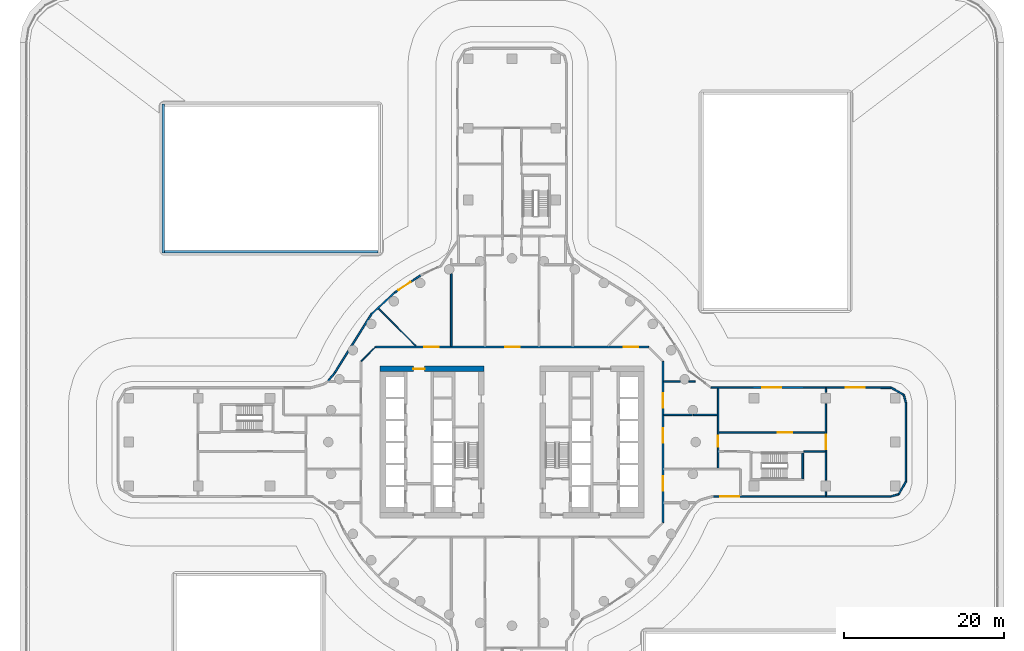
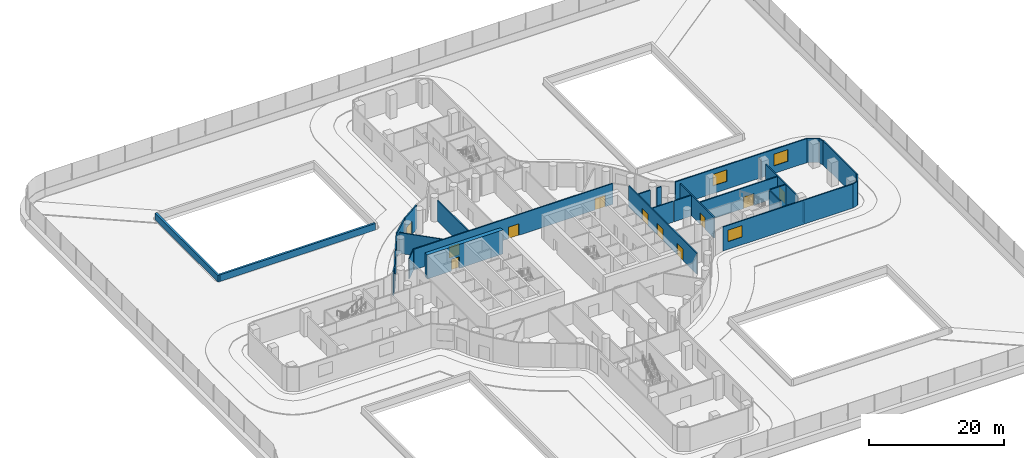
# One storey, part 26 of 37: 30 walls, 11 doors, 3 windows, 14 openings.
"""IFC4 building model written with IfcOpenShell, lengths in metres."""

from ifc_helpers import new_model, si_unit, direction, frame, frame_2d, origin, place, context, subcontext, project, spatial, polyline, rectangle, outline, extrude, material, layer, layer_set, type_object, element, fill, save


model = new_model("IFC4")

# Units and contexts
model_context = context("Model", 3, precision=1e-05, world=origin(), true_north=direction((0.0, 1.0)))
body_context = subcontext(model_context, "Body", "Model", "MODEL_VIEW")
ifc_project = project(units=[si_unit("LENGTHUNIT", "METRE"), si_unit("AREAUNIT", "SQUARE_METRE"), si_unit("VOLUMEUNIT", "CUBIC_METRE"), si_unit("PLANEANGLEUNIT", "RADIAN"), si_unit("MASSUNIT", "GRAM", prefix="KILO")], contexts=[model_context])

# Site, building, storey
site_placement = place(None, origin())
site = spatial("IfcSite", under=ifc_project, at=site_placement, CompositionType="ELEMENT")
building_placement = place(site_placement, origin())
building = spatial("IfcBuilding", under=site, at=building_placement, Name="Tamarind Cross Interchange Tower", CompositionType="ELEMENT")
storey_placement = place(building_placement, frame((0.0, 0.0, 29.5)))
storey = spatial("IfcBuildingStorey", under=building, at=storey_placement, Name="L05", CompositionType="ELEMENT", Elevation=29.5)

# Wall, opening, door
ifc_material_1 = material(Name="Concrete C80", Category="concrete")
ifc_layer_1 = layer(ifc_material_1, 0.699951171875)
ifc_layer_set_1 = layer_set([ifc_layer_1], Name="Concrete C80")
wall_type_1 = type_object("IfcWallType", Name="Core wall 700 mm Concrete C80", PredefinedType="SHEAR", material=ifc_layer_set_1)
wall_1_placement = place(storey_placement, frame((-16.5, 9.14990234375, 0.0), z_axis=(0.0, 0.0, 1.0), x_axis=(1.0, 0.0, 0.0)))
wall_1 = element("IfcWall", 1, at=wall_1_placement, inside=storey, type_object=wall_type_1, Name="Core wall CWL-L05-W-NE", PredefinedType="SHEAR", context=body_context, shape_type="SweptSolid", body=[
    extrude(rectangle(XDim=13.0, YDim=0.699951171875, at=frame_2d((6.5, 0.0))), origin(), (0.0, 0.0, 1.0), 4.360107421875),
])
opening_1_placement = place(wall_1_placement, frame((4.14990234375, 0.0, 0.0)))
opening_1 = element("IfcOpeningElement", 2, at=opening_1_placement, cuts=wall_1, Name="Opening DCW31", PredefinedType="OPENING", context=body_context, shape_type="SweptSolid", body=[
    extrude(rectangle(XDim=1.39990234375, YDim=2.10009765625, at=frame_2d((0.699951171875, 1.050048828125))), frame((0.0, 0.35986328125, 0.0), z_axis=(0.0, -1.0, 0.0), x_axis=(1.0, 0.0, 0.0)), (0.0, 0.0, 1.0), 0.719970703125),
])
ifc_material_2 = material(Name="Steel, fire-resisting", Category="steel")
door_type_1 = type_object("IfcDoorType", Name="Core fire door 1400 x 2100 FD90", OperationType="SINGLE_SWING_LEFT", PredefinedType="DOOR", material=ifc_material_2)
door_1_placement = place(opening_1_placement, origin())
door_1 = element("IfcDoor", 3, at=door_1_placement, inside=storey, type_object=door_type_1, Name="L05 lift hall exit door", OperationType="SINGLE_SWING_LEFT", OverallHeight=2.10009765625, OverallWidth=1.39990234375, PredefinedType="DOOR", context=body_context, shape_type="SweptSolid", body=[
    extrude(rectangle(XDim=1.39990234375, YDim=2.10009765625, at=frame_2d((0.699951171875, 1.050048828125))), frame((0.0, 0.02490234375, 0.0), z_axis=(0.0, -1.0, 0.0), x_axis=(1.0, 0.0, 0.0)), (0.0, 0.0, 1.0), 0.050048828125),
])
fill(opening_1, door_1)

# Walls
ifc_material_3 = material(Name="Gypsum board partition on steel studs", Category="steel")
ifc_layer_2 = layer(ifc_material_3, 0.14990234375)
ifc_layer_set_2 = layer_set([ifc_layer_2], Name="Gypsum board partition on steel studs")
wall_type_2 = type_object("IfcWallType", Name="Partition 150 mm EI 120", PredefinedType="PARTITIONING", material=ifc_layer_set_2)
wall_2_placement = place(storey_placement, frame((-16.740478515625, 16.740478515625, 0.0), z_axis=(0.0, 0.0, 1.0), x_axis=(0.707106781187, -0.707106781187, 0.0)))
element("IfcWall", 4, at=wall_2_placement, inside=storey, type_object=wall_type_2, Name="Partition L05-002", PredefinedType="PARTITIONING", context=body_context, shape_type="SweptSolid", body=[
    extrude(rectangle(XDim=6.6552734375, YDim=0.14990234375, at=frame_2d((3.32763671875, 0.0))), origin(), (0.0, 0.0, 1.0), 3.760009765625),
])
wall_3_placement = place(storey_placement, frame((-18.864501953125, 10.135498046875, 0.0), z_axis=(0.0, 0.0, 1.0), x_axis=(0.707106781187, 0.707106781187, 0.0)))
element("IfcWall", 5, at=wall_3_placement, inside=storey, type_object=wall_type_2, Name="Partition L05-044", PredefinedType="PARTITIONING", context=body_context, shape_type="SweptSolid", body=[
    extrude(rectangle(XDim=2.495361328125, YDim=0.14990234375, at=frame_2d((1.24755859375, 0.0))), origin(), (0.0, 0.0, 1.0), 3.760009765625),
])
ifc_layer_3 = layer(ifc_material_3, 0.199951171875)
ifc_layer_set_3 = layer_set([ifc_layer_3], Name="Gypsum board partition on steel studs")
wall_type_3 = type_object("IfcWallType", Name="Partition 200 mm EI 180", PredefinedType="PARTITIONING", material=ifc_layer_set_3)
wall_4_placement = place(storey_placement, frame((36.5400390625, -1.199951171875, 0.0), z_axis=(0.0, 0.0, 1.0), x_axis=(1.0, 0.0, 0.0)))
element("IfcWall", 6, at=wall_4_placement, inside=storey, type_object=wall_type_3, Name="Partition L05-007", PredefinedType="PARTITIONING", context=body_context, shape_type="SweptSolid", body=[
    extrude(rectangle(XDim=2.679931640625, YDim=0.199951171875, at=frame_2d((1.33984375, 0.0))), origin(), (0.0, 0.0, 1.0), 3.760009765625),
])

# Wall, opening, door
wall_5_placement = place(storey_placement, frame((25.885009765625, 1.199951171875, 0.0), z_axis=(0.0, 0.0, 1.0), x_axis=(1.0, 0.0, 0.0)))
wall_5 = element("IfcWall", 7, at=wall_5_placement, inside=storey, type_object=wall_type_3, Name="Partition L05-010", PredefinedType="PARTITIONING", context=body_context, shape_type="SweptSolid", body=[
    extrude(rectangle(XDim=13.3349609375, YDim=0.199951171875, at=frame_2d((6.66748046875, 0.0))), origin(), (0.0, 0.0, 1.0), 3.760009765625),
])
opening_2_placement = place(wall_5_placement, frame((7.4150390625, 0.0, 0.0)))
opening_2 = element("IfcOpeningElement", 8, at=opening_2_placement, cuts=wall_5, Name="Opening D04", PredefinedType="OPENING", context=body_context, shape_type="SweptSolid", body=[
    extrude(rectangle(XDim=1.800048828125, YDim=2.10009765625, at=frame_2d((0.89990234375, 1.050048828125))), frame((0.0, 0.10986328125, 0.0), z_axis=(0.0, -1.0, 0.0), x_axis=(1.0, 0.0, 0.0)), (0.0, 0.0, 1.0), 0.219970703125),
])
ifc_material_4 = material(Name="Fire-resisting door set")
door_type_2 = type_object("IfcDoorType", Name="Interior door 1800 x 2100 FD120S", OperationType="DOUBLE_DOOR_SINGLE_SWING", PredefinedType="DOOR", material=ifc_material_4)
door_2_placement = place(opening_2_placement, origin())
door_2 = element("IfcDoor", 9, at=door_2_placement, inside=storey, type_object=door_type_2, Name="Door D04", OperationType="DOUBLE_DOOR_SINGLE_SWING", OverallHeight=2.10009765625, OverallWidth=1.800048828125, PredefinedType="DOOR", context=body_context, shape_type="SweptSolid", body=[
    extrude(rectangle(XDim=1.800048828125, YDim=2.10009765625, at=frame_2d((0.89990234375, 1.050048828125))), frame((0.0, 0.02490234375, 0.0), z_axis=(0.0, -1.0, 0.0), x_axis=(1.0, 0.0, 0.0)), (0.0, 0.0, 1.0), 0.050048828125),
])
fill(opening_2, door_2)

# Walls
wall_6_placement = place(storey_placement, frame((18.985107421875, 3.39990234375, 0.0), z_axis=(0.0, 0.0, 1.0), x_axis=(1.0, 0.0, 0.0)))
element("IfcWall", 10, at=wall_6_placement, inside=storey, type_object=wall_type_3, Name="Partition L05-013", PredefinedType="PARTITIONING", context=body_context, shape_type="SweptSolid", body=[
    extrude(rectangle(XDim=3.60546875, YDim=0.199951171875, at=frame_2d((1.802734375, 0.0))), origin(), (0.0, 0.0, 1.0), 3.760009765625),
])
wall_7_placement = place(storey_placement, frame((22.710693359375, 3.39990234375, 0.0), z_axis=(0.0, 0.0, 1.0), x_axis=(1.0, 0.0, 0.0)))
element("IfcWall", 11, at=wall_7_placement, inside=storey, type_object=wall_type_3, Name="Partition L05-014", PredefinedType="PARTITIONING", context=body_context, shape_type="SweptSolid", body=[
    extrude(rectangle(XDim=3.00439453125, YDim=0.199951171875, at=frame_2d((1.502197265625, 0.0))), origin(), (0.0, 0.0, 1.0), 3.760009765625),
])
wall_8_placement = place(storey_placement, frame((18.985107421875, 7.60009765625, 0.0), z_axis=(0.0, 0.0, 1.0), x_axis=(1.0, 0.0, 0.0)))
element("IfcWall", 12, at=wall_8_placement, inside=storey, type_object=wall_type_3, Name="Partition L05-025", PredefinedType="PARTITIONING", context=body_context, shape_type="SweptSolid", body=[
    extrude(rectangle(XDim=2.089111328125, YDim=0.199951171875, at=frame_2d((1.04443359375, 0.0))), origin(), (0.0, 0.0, 1.0), 3.760009765625),
])
wall_9_placement = place(storey_placement, frame((22.151611328125, 7.60009765625, 0.0), z_axis=(0.0, 0.0, 1.0), x_axis=(1.0, 0.0, 0.0)))
element("IfcWall", 13, at=wall_9_placement, inside=storey, type_object=wall_type_3, Name="Partition L05-026", PredefinedType="PARTITIONING", context=body_context, shape_type="SweptSolid", body=[
    extrude(rectangle(XDim=0.770263671875, YDim=0.199951171875, at=frame_2d((0.38525390625, 0.0))), origin(), (0.0, 0.0, 1.0), 3.760009765625),
])

# Wall, openings, doors
wall_10_placement = place(storey_placement, frame((-17.06494140625, 11.89990234375, 0.0), z_axis=(0.0, 0.0, 1.0), x_axis=(1.0, 0.0, 0.0)))
wall_10 = element("IfcWall", 14, at=wall_10_placement, inside=storey, type_object=wall_type_3, Name="Partition L05-028", PredefinedType="PARTITIONING", context=body_context, shape_type="SweptSolid", body=[
    extrude(rectangle(XDim=34.1650390625, YDim=0.199951171875, at=frame_2d((17.08251953125, 0.0))), origin(), (0.0, 0.0, 1.0), 3.760009765625),
])
opening_3_placement = place(wall_10_placement, frame((16.215087890625, 0.0, 0.0)))
opening_3 = element("IfcOpeningElement", 15, at=opening_3_placement, cuts=wall_10, Name="Opening D08", PredefinedType="OPENING", context=body_context, shape_type="SweptSolid", body=[
    extrude(rectangle(XDim=1.800048828125, YDim=2.10009765625, at=frame_2d((0.89990234375, 1.050048828125))), frame((0.0, 0.10986328125, 0.0), z_axis=(0.0, -1.0, 0.0), x_axis=(1.0, 0.0, 0.0)), (0.0, 0.0, 1.0), 0.219970703125),
])
opening_4_placement = place(wall_10_placement, frame((6.06494140625, 0.0, 0.0)))
opening_4 = element("IfcOpeningElement", 16, at=opening_4_placement, cuts=wall_10, Name="Opening D09", PredefinedType="OPENING", context=body_context, shape_type="SweptSolid", body=[
    extrude(rectangle(XDim=1.800048828125, YDim=2.10009765625, at=frame_2d((0.89990234375, 1.050048828125))), frame((0.0, 0.10986328125, 0.0), z_axis=(0.0, -1.0, 0.0), x_axis=(1.0, 0.0, 0.0)), (0.0, 0.0, 1.0), 0.219970703125),
])
opening_5_placement = place(wall_10_placement, frame((31.06494140625, 0.0, 0.0)))
opening_5 = element("IfcOpeningElement", 17, at=opening_5_placement, cuts=wall_10, Name="Opening D10", PredefinedType="OPENING", context=body_context, shape_type="SweptSolid", body=[
    extrude(rectangle(XDim=1.800048828125, YDim=2.10009765625, at=frame_2d((0.89990234375, 1.050048828125))), frame((0.0, 0.10986328125, 0.0), z_axis=(0.0, -1.0, 0.0), x_axis=(1.0, 0.0, 0.0)), (0.0, 0.0, 1.0), 0.219970703125),
])
door_3_placement = place(opening_3_placement, frame((1.800048828125, 0.0, 0.0), z_axis=(0.0, 0.0, 1.0), x_axis=(-1.0, 0.0, 0.0)))
door_3 = element("IfcDoor", 18, at=door_3_placement, inside=storey, type_object=door_type_2, Name="Door D08", OperationType="DOUBLE_DOOR_SINGLE_SWING", OverallHeight=2.10009765625, OverallWidth=1.800048828125, PredefinedType="DOOR", context=body_context, shape_type="SweptSolid", body=[
    extrude(rectangle(XDim=1.800048828125, YDim=2.10009765625, at=frame_2d((0.89990234375, 1.050048828125))), frame((0.0, 0.02490234375, 0.0), z_axis=(0.0, -1.0, 0.0), x_axis=(1.0, 0.0, 0.0)), (0.0, 0.0, 1.0), 0.050048828125),
])
fill(opening_3, door_3)
door_4_placement = place(opening_4_placement, frame((1.800048828125, 0.0, 0.0), z_axis=(0.0, 0.0, 1.0), x_axis=(-1.0, 0.0, 0.0)))
door_4 = element("IfcDoor", 19, at=door_4_placement, inside=storey, type_object=door_type_2, Name="Door D09", OperationType="DOUBLE_DOOR_SINGLE_SWING", OverallHeight=2.10009765625, OverallWidth=1.800048828125, PredefinedType="DOOR", context=body_context, shape_type="SweptSolid", body=[
    extrude(rectangle(XDim=1.800048828125, YDim=2.10009765625, at=frame_2d((0.89990234375, 1.050048828125))), frame((0.0, 0.02490234375, 0.0), z_axis=(0.0, -1.0, 0.0), x_axis=(1.0, 0.0, 0.0)), (0.0, 0.0, 1.0), 0.050048828125),
])
fill(opening_4, door_4)
door_5_placement = place(opening_5_placement, origin())
door_5 = element("IfcDoor", 20, at=door_5_placement, inside=storey, type_object=door_type_2, Name="Door D10", OperationType="DOUBLE_DOOR_SINGLE_SWING", OverallHeight=2.10009765625, OverallWidth=1.800048828125, PredefinedType="DOOR", context=body_context, shape_type="SweptSolid", body=[
    extrude(rectangle(XDim=1.800048828125, YDim=2.10009765625, at=frame_2d((0.89990234375, 1.050048828125))), frame((0.0, 0.02490234375, 0.0), z_axis=(0.0, -1.0, 0.0), x_axis=(1.0, 0.0, 0.0)), (0.0, 0.0, 1.0), 0.050048828125),
])
fill(opening_5, door_5)

# Wall
wall_11_placement = place(storey_placement, frame((-7.60009765625, 11.97998046875, 0.0), z_axis=(0.0, 0.0, 1.0), x_axis=(0.0, 1.0, 0.0)))
element("IfcWall", 21, at=wall_11_placement, inside=storey, type_object=wall_type_3, Name="Partition L05-056", PredefinedType="PARTITIONING", context=body_context, shape_type="SweptSolid", body=[
    extrude(rectangle(XDim=9.09423828125, YDim=0.199951171875, at=frame_2d((4.547119140625, 0.0))), origin(), (0.0, 0.0, 1.0), 3.760009765625),
])

# Wall, openings, doors
wall_12_placement = place(storey_placement, frame((18.89990234375, -10.10009765625, 0.0), z_axis=(0.0, 0.0, 1.0), x_axis=(0.0, 1.0, 0.0)))
wall_12 = element("IfcWall", 22, at=wall_12_placement, inside=storey, type_object=wall_type_3, Name="Partition L05-076", PredefinedType="PARTITIONING", context=body_context, shape_type="SweptSolid", body=[
    extrude(rectangle(XDim=20.2001953125, YDim=0.199951171875, at=frame_2d((10.10009765625, 0.0))), origin(), (0.0, 0.0, 1.0), 3.760009765625),
])
opening_6_placement = place(wall_12_placement, frame((10.0, 0.0, 0.0)))
opening_6 = element("IfcOpeningElement", 23, at=opening_6_placement, cuts=wall_12, Name="Opening D34", PredefinedType="OPENING", context=body_context, shape_type="SweptSolid", body=[
    extrude(rectangle(XDim=1.800048828125, YDim=2.10009765625, at=frame_2d((0.89990234375, 1.050048828125))), frame((0.0, 0.10986328125, 0.0), z_axis=(0.0, -1.0, 0.0), x_axis=(1.0, 0.0, 0.0)), (0.0, 0.0, 1.0), 0.219970703125),
])
opening_7_placement = place(wall_12_placement, frame((14.39990234375, 0.0, 0.0)))
opening_7 = element("IfcOpeningElement", 24, at=opening_7_placement, cuts=wall_12, Name="Opening D35", PredefinedType="OPENING", context=body_context, shape_type="SweptSolid", body=[
    extrude(rectangle(XDim=1.800048828125, YDim=2.10009765625, at=frame_2d((0.89990234375, 1.050048828125))), frame((0.0, 0.10986328125, 0.0), z_axis=(0.0, -1.0, 0.0), x_axis=(1.0, 0.0, 0.0)), (0.0, 0.0, 1.0), 0.219970703125),
])
opening_8_placement = place(wall_12_placement, frame((4.0, 0.0, 0.0)))
opening_8 = element("IfcOpeningElement", 25, at=opening_8_placement, cuts=wall_12, Name="Opening D36", PredefinedType="OPENING", context=body_context, shape_type="SweptSolid", body=[
    extrude(rectangle(XDim=1.800048828125, YDim=2.10009765625, at=frame_2d((0.89990234375, 1.050048828125))), frame((0.0, 0.10986328125, 0.0), z_axis=(0.0, -1.0, 0.0), x_axis=(1.0, 0.0, 0.0)), (0.0, 0.0, 1.0), 0.219970703125),
])
door_6_placement = place(opening_6_placement, origin())
door_6 = element("IfcDoor", 26, at=door_6_placement, inside=storey, type_object=door_type_2, Name="Door D34", OperationType="DOUBLE_DOOR_SINGLE_SWING", OverallHeight=2.10009765625, OverallWidth=1.800048828125, PredefinedType="DOOR", context=body_context, shape_type="SweptSolid", body=[
    extrude(rectangle(XDim=1.800048828125, YDim=2.10009765625, at=frame_2d((0.89990234375, 1.050048828125))), frame((0.0, 0.02490234375, 0.0), z_axis=(0.0, -1.0, 0.0), x_axis=(1.0, 0.0, 0.0)), (0.0, 0.0, 1.0), 0.050048828125),
])
fill(opening_6, door_6)
door_7_placement = place(opening_7_placement, frame((1.800048828125, 0.0, 0.0), z_axis=(0.0, 0.0, 1.0), x_axis=(-1.0, 0.0, 0.0)))
door_7 = element("IfcDoor", 27, at=door_7_placement, inside=storey, type_object=door_type_2, Name="Door D35", OperationType="DOUBLE_DOOR_SINGLE_SWING", OverallHeight=2.10009765625, OverallWidth=1.800048828125, PredefinedType="DOOR", context=body_context, shape_type="SweptSolid", body=[
    extrude(rectangle(XDim=1.800048828125, YDim=2.10009765625, at=frame_2d((0.89990234375, 1.050048828125))), frame((0.0, 0.02490234375, 0.0), z_axis=(0.0, -1.0, 0.0), x_axis=(1.0, 0.0, 0.0)), (0.0, 0.0, 1.0), 0.050048828125),
])
fill(opening_7, door_7)
door_8_placement = place(opening_8_placement, frame((1.800048828125, 0.0, 0.0), z_axis=(0.0, 0.0, 1.0), x_axis=(-1.0, 0.0, 0.0)))
door_8 = element("IfcDoor", 28, at=door_8_placement, inside=storey, type_object=door_type_2, Name="Door D36", OperationType="DOUBLE_DOOR_SINGLE_SWING", OverallHeight=2.10009765625, OverallWidth=1.800048828125, PredefinedType="DOOR", context=body_context, shape_type="SweptSolid", body=[
    extrude(rectangle(XDim=1.800048828125, YDim=2.10009765625, at=frame_2d((0.89990234375, 1.050048828125))), frame((0.0, 0.02490234375, 0.0), z_axis=(0.0, -1.0, 0.0), x_axis=(1.0, 0.0, 0.0)), (0.0, 0.0, 1.0), 0.050048828125),
])
fill(opening_8, door_8)

# Wall, opening, door
wall_13_placement = place(storey_placement, frame((25.800048828125, -3.31494140625, 0.0), z_axis=(0.0, 0.0, 1.0), x_axis=(0.0, 1.0, 0.0)))
wall_13 = element("IfcWall", 29, at=wall_13_placement, inside=storey, type_object=wall_type_3, Name="Partition L05-077", PredefinedType="PARTITIONING", context=body_context, shape_type="SweptSolid", body=[
    extrude(rectangle(XDim=10.056640625, YDim=0.199951171875, at=frame_2d((5.0283203125, 0.0))), origin(), (0.0, 0.0, 1.0), 3.760009765625),
])
opening_9_placement = place(wall_13_placement, frame((2.715087890625, 0.0, 0.0)))
opening_9 = element("IfcOpeningElement", 30, at=opening_9_placement, cuts=wall_13, Name="Opening D37", PredefinedType="OPENING", context=body_context, shape_type="SweptSolid", body=[
    extrude(rectangle(XDim=1.39990234375, YDim=2.10009765625, at=frame_2d((0.699951171875, 1.050048828125))), frame((0.0, 0.10986328125, 0.0), z_axis=(0.0, -1.0, 0.0), x_axis=(1.0, 0.0, 0.0)), (0.0, 0.0, 1.0), 0.219970703125),
])
door_type_3 = type_object("IfcDoorType", Name="Interior door 1400 x 2100 FD120S", OperationType="DOUBLE_DOOR_SINGLE_SWING", PredefinedType="DOOR", material=ifc_material_4)
door_9_placement = place(opening_9_placement, origin())
door_9 = element("IfcDoor", 31, at=door_9_placement, inside=storey, type_object=door_type_3, Name="Door D37", OperationType="DOUBLE_DOOR_SINGLE_SWING", OverallHeight=2.10009765625, OverallWidth=1.39990234375, PredefinedType="DOOR", context=body_context, shape_type="SweptSolid", body=[
    extrude(rectangle(XDim=1.39990234375, YDim=2.10009765625, at=frame_2d((0.699951171875, 1.050048828125))), frame((0.0, 0.02490234375, 0.0), z_axis=(0.0, -1.0, 0.0), x_axis=(1.0, 0.0, 0.0)), (0.0, 0.0, 1.0), 0.050048828125),
])
fill(opening_9, door_9)

# Wall
wall_14_placement = place(storey_placement, frame((39.300048828125, -6.698974609375, 0.0), z_axis=(0.0, 0.0, 1.0), x_axis=(0.0, 1.0, 0.0)))
element("IfcWall", 32, at=wall_14_placement, inside=storey, type_object=wall_type_3, Name="Partition L05-079", PredefinedType="PARTITIONING", context=body_context, shape_type="SweptSolid", body=[
    extrude(rectangle(XDim=0.468994140625, YDim=0.199951171875, at=frame_2d((0.234375, 0.0))), origin(), (0.0, 0.0, 1.0), 3.760009765625),
])

# Wall, opening, door
wall_15_placement = place(storey_placement, frame((39.300048828125, -4.77001953125, 0.0), z_axis=(0.0, 0.0, 1.0), x_axis=(0.0, 1.0, 0.0)))
wall_15 = element("IfcWall", 33, at=wall_15_placement, inside=storey, type_object=wall_type_3, Name="Partition L05-080", PredefinedType="PARTITIONING", context=body_context, shape_type="SweptSolid", body=[
    extrude(rectangle(XDim=9.5400390625, YDim=0.199951171875, at=frame_2d((4.77001953125, 0.0))), origin(), (0.0, 0.0, 1.0), 3.760009765625),
])
opening_10_placement = place(wall_15_placement, frame((3.8701171875, 0.0, 0.0)))
opening_10 = element("IfcOpeningElement", 34, at=opening_10_placement, cuts=wall_15, Name="Opening D38", PredefinedType="OPENING", context=body_context, shape_type="SweptSolid", body=[
    extrude(rectangle(XDim=1.800048828125, YDim=2.10009765625, at=frame_2d((0.89990234375, 1.050048828125))), frame((0.0, 0.10986328125, 0.0), z_axis=(0.0, -1.0, 0.0), x_axis=(1.0, 0.0, 0.0)), (0.0, 0.0, 1.0), 0.219970703125),
])
door_10_placement = place(opening_10_placement, frame((1.800048828125, 0.0, 0.0), z_axis=(0.0, 0.0, 1.0), x_axis=(-1.0, 0.0, 0.0)))
door_10 = element("IfcDoor", 35, at=door_10_placement, inside=storey, type_object=door_type_2, Name="Door D38", OperationType="DOUBLE_DOOR_SINGLE_SWING", OverallHeight=2.10009765625, OverallWidth=1.800048828125, PredefinedType="DOOR", context=body_context, shape_type="SweptSolid", body=[
    extrude(rectangle(XDim=1.800048828125, YDim=2.10009765625, at=frame_2d((0.89990234375, 1.050048828125))), frame((0.0, 0.02490234375, 0.0), z_axis=(0.0, -1.0, 0.0), x_axis=(1.0, 0.0, 0.0)), (0.0, 0.0, 1.0), 0.050048828125),
])
fill(opening_10, door_10)

# Walls
wall_16_placement = place(storey_placement, frame((39.300048828125, 6.22998046875, 0.0), z_axis=(0.0, 0.0, 1.0), x_axis=(0.0, 1.0, 0.0)))
element("IfcWall", 36, at=wall_16_placement, inside=storey, type_object=wall_type_3, Name="Partition L05-081", PredefinedType="PARTITIONING", context=body_context, shape_type="SweptSolid", body=[
    extrude(rectangle(XDim=0.485107421875, YDim=0.199951171875, at=frame_2d((0.24267578125, 0.0))), origin(), (0.0, 0.0, 1.0), 3.760009765625),
])
ifc_material_5 = material(Name="Precast concrete C40", Category="concrete")
ifc_layer_4 = layer(ifc_material_5, 0.35009765625)
ifc_layer_set_4 = layer_set([ifc_layer_4], Name="Precast concrete C40")
wall_type_4 = type_object("IfcWallType", Name="Podium facade wall", PredefinedType="SOLIDWALL", material=ifc_layer_set_4)
wall_17_placement = place(storey_placement, frame((-43.5, 23.824951171875, 0.0), z_axis=(0.0, 0.0, 1.0), x_axis=(1.0, 0.0, 0.0)))
element("IfcWall", 37, at=wall_17_placement, inside=storey, type_object=wall_type_4, Name="CTW-L05-NWS00", PredefinedType="SOLIDWALL", context=body_context, shape_type="SweptSolid", body=[
    extrude(rectangle(XDim=26.699951171875, YDim=0.35009765625, at=frame_2d((13.35009765625, 0.0))), origin(), (0.0, 0.0, 1.0), 1.199951171875),
])
wall_18_placement = place(storey_placement, frame((-43.675048828125, 23.64990234375, 0.0), z_axis=(0.0, 0.0, 1.0), x_axis=(0.0, 1.0, 0.0)))
element("IfcWall", 38, at=wall_18_placement, inside=storey, type_object=wall_type_4, Name="CTW-L05-NWW00", PredefinedType="SOLIDWALL", context=body_context, shape_type="SweptSolid", body=[
    extrude(rectangle(XDim=18.7001953125, YDim=0.35009765625, at=frame_2d((9.35009765625, 0.0))), origin(), (0.0, 0.0, 1.0), 1.199951171875),
])

# Wall, opening, window
ifc_layer_5 = layer(ifc_material_5, 0.199951171875)
ifc_layer_set_5 = layer_set([ifc_layer_5], Name="Precast concrete C40")
wall_type_5 = type_object("IfcWallType", Name="Refuge level external wall", PredefinedType="SOLIDWALL", material=ifc_layer_set_5)
wall_19_placement = place(storey_placement, frame((25.181396484375, -6.800048828125, 0.0), z_axis=(0.0, 0.0, 1.0), x_axis=(1.0, 0.0, 0.0)))
wall_19 = element("IfcWall", 39, at=wall_19_placement, inside=storey, type_object=wall_type_5, Name="RFW-L05-08-0", PredefinedType="SOLIDWALL", context=body_context, shape_type="SweptSolid", body=[
    extrude(rectangle(XDim=22.2998046875, YDim=0.199951171875, at=frame_2d((11.14990234375, 0.0))), origin(), (0.0, 0.0, 1.0), 4.360107421875),
])
opening_11_placement = place(wall_19_placement, frame((0.89990234375, 0.0, 1.39990234375)))
opening_11 = element("IfcOpeningElement", 40, at=opening_11_placement, cuts=wall_19, Name="Opening W3", PredefinedType="OPENING", context=body_context, shape_type="SweptSolid", body=[
    extrude(rectangle(XDim=2.39990234375, YDim=2.10009765625, at=frame_2d((1.199951171875, 1.050048828125))), frame((0.0, 0.10986328125, 0.0), z_axis=(0.0, -1.0, 0.0), x_axis=(1.0, 0.0, 0.0)), (0.0, 0.0, 1.0), 0.219970703125),
])
ifc_material_6 = material(Name="Aluminium and fire-resisting glass", Category="aluminium")
window_type = type_object("IfcWindowType", Name="Refuge rescue window", PartitioningType="DOUBLE_PANEL_VERTICAL", PredefinedType="WINDOW", material=ifc_material_6)
window_1_placement = place(opening_11_placement, origin())
window_1 = element("IfcWindow", 41, at=window_1_placement, inside=storey, type_object=window_type, Name="RSW-L05-08-01", OverallHeight=2.10009765625, OverallWidth=2.39990234375, PartitioningType="SINGLE_PANEL", PredefinedType="WINDOW", context=body_context, shape_type="SweptSolid", body=[
    extrude(rectangle(XDim=2.39990234375, YDim=2.10009765625, at=frame_2d((1.199951171875, 1.050048828125))), frame((0.0, 0.030029296875, 0.0), z_axis=(0.0, -1.0, 0.0), x_axis=(1.0, 0.0, 0.0)), (0.0, 0.0, 1.0), 0.06005859375),
])
fill(opening_11, window_1)

# Walls
wall_20_placement = place(storey_placement, frame((47.481201171875, -6.800048828125, 0.0), z_axis=(0.0, 0.0, 1.0), x_axis=(0.96591611198, 0.258855296676, 0.0)))
element("IfcWall", 42, at=wall_20_placement, inside=storey, type_object=wall_type_5, Name="RFW-L05-08-1", PredefinedType="SOLIDWALL", context=body_context, shape_type="SweptSolid", body=[
    extrude(rectangle(XDim=0.955322265625, YDim=0.199951171875, at=frame_2d((0.4775390625, 0.0))), origin(), (0.0, 0.0, 1.0), 4.360107421875),
])
wall_21_placement = place(storey_placement, frame((48.404052734375, -6.552734375, 0.0), z_axis=(0.0, 0.0, 1.0), x_axis=(0.496644654848, 0.867953965836, 0.0)))
element("IfcWall", 43, at=wall_21_placement, inside=storey, type_object=wall_type_5, Name="RFW-L05-08-2", PredefinedType="SOLIDWALL", context=body_context, shape_type="SweptSolid", body=[
    extrude(rectangle(XDim=1.8193359375, YDim=0.199951171875, at=frame_2d((0.90966796875, 0.0))), origin(), (0.0, 0.0, 1.0), 4.360107421875),
])
wall_22_placement = place(storey_placement, frame((49.3076171875, -4.9736328125, 0.0), z_axis=(0.0, 0.0, 1.0), x_axis=(0.0, 1.0, 0.0)))
element("IfcWall", 44, at=wall_22_placement, inside=storey, type_object=wall_type_5, Name="RFW-L05-09-0", PredefinedType="SOLIDWALL", context=body_context, shape_type="SweptSolid", body=[
    extrude(rectangle(XDim=9.947265625, YDim=0.199951171875, at=frame_2d((4.9736328125, 0.0))), origin(), (0.0, 0.0, 1.0), 4.360107421875),
])
wall_23_placement = place(storey_placement, frame((49.3076171875, 4.9736328125, 0.0), z_axis=(0.0, 0.0, 1.0), x_axis=(-0.258855296676, 0.96591611198, 0.0)))
element("IfcWall", 45, at=wall_23_placement, inside=storey, type_object=wall_type_5, Name="RFW-L05-09-1", PredefinedType="SOLIDWALL", context=body_context, shape_type="SweptSolid", body=[
    extrude(rectangle(XDim=0.955322265625, YDim=0.199951171875, at=frame_2d((0.4775390625, 0.0))), origin(), (0.0, 0.0, 1.0), 4.360107421875),
])
wall_24_placement = place(storey_placement, frame((49.060302734375, 5.896484375, 0.0), z_axis=(0.0, 0.0, 1.0), x_axis=(-0.867987059309, 0.496586815041, 0.0)))
element("IfcWall", 46, at=wall_24_placement, inside=storey, type_object=wall_type_5, Name="RFW-L05-09-2", PredefinedType="SOLIDWALL", context=body_context, shape_type="SweptSolid", body=[
    extrude(rectangle(XDim=1.819580078125, YDim=0.199951171875, at=frame_2d((0.90966796875, 0.0))), origin(), (0.0, 0.0, 1.0), 4.360107421875),
])

# Wall, openings, windows
wall_25_placement = place(storey_placement, frame((47.48095703125, 6.800048828125, 0.0), z_axis=(0.0, 0.0, 1.0), x_axis=(-0.999998066603, 0.001966415802, 0.0)))
wall_25 = element("IfcWall", 47, at=wall_25_placement, inside=storey, type_object=wall_type_5, Name="RFW-L05-10-0", PredefinedType="SOLIDWALL", context=body_context, shape_type="SweptSolid", body=[
    extrude(rectangle(XDim=22.59619140625, YDim=0.199951171875, at=frame_2d((11.298095703125, 0.0))), origin(), (0.0, 0.0, 1.0), 4.360107421875),
])
opening_12_placement = place(wall_25_placement, frame((3.300048828125, 0.0, 1.39990234375)))
opening_12 = element("IfcOpeningElement", 48, at=opening_12_placement, cuts=wall_25, Name="Opening W3", PredefinedType="OPENING", context=body_context, shape_type="SweptSolid", body=[
    extrude(rectangle(XDim=2.39990234375, YDim=2.10009765625, at=frame_2d((1.199951171875, 1.050048828125))), frame((0.0, 0.10986328125, 0.0), z_axis=(0.0, -1.0, 0.0), x_axis=(1.0, 0.0, 0.0)), (0.0, 0.0, 1.0), 0.219970703125),
])
opening_13_placement = place(wall_25_placement, frame((13.75, 0.0, 1.39990234375)))
opening_13 = element("IfcOpeningElement", 49, at=opening_13_placement, cuts=wall_25, Name="Opening W3", PredefinedType="OPENING", context=body_context, shape_type="SweptSolid", body=[
    extrude(rectangle(XDim=2.39990234375, YDim=2.10009765625, at=frame_2d((1.199951171875, 1.050048828125))), frame((0.0, 0.10986328125, 0.0), z_axis=(0.0, -1.0, 0.0), x_axis=(1.0, 0.0, 0.0)), (0.0, 0.0, 1.0), 0.219970703125),
])
window_2_placement = place(opening_12_placement, origin())
window_2 = element("IfcWindow", 50, at=window_2_placement, inside=storey, type_object=window_type, Name="RSW-L05-10-01", OverallHeight=2.10009765625, OverallWidth=2.39990234375, PartitioningType="SINGLE_PANEL", PredefinedType="WINDOW", context=body_context, shape_type="SweptSolid", body=[
    extrude(rectangle(XDim=2.39990234375, YDim=2.10009765625, at=frame_2d((1.199951171875, 1.050048828125))), frame((0.0, 0.030029296875, 0.0), z_axis=(0.0, -1.0, 0.0), x_axis=(1.0, 0.0, 0.0)), (0.0, 0.0, 1.0), 0.06005859375),
])
fill(opening_12, window_2)
window_3_placement = place(opening_13_placement, origin())
window_3 = element("IfcWindow", 51, at=window_3_placement, inside=storey, type_object=window_type, Name="RSW-L05-10-02", OverallHeight=2.10009765625, OverallWidth=2.39990234375, PartitioningType="SINGLE_PANEL", PredefinedType="WINDOW", context=body_context, shape_type="SweptSolid", body=[
    extrude(rectangle(XDim=2.39990234375, YDim=2.10009765625, at=frame_2d((1.199951171875, 1.050048828125))), frame((0.0, 0.030029296875, 0.0), z_axis=(0.0, -1.0, 0.0), x_axis=(1.0, 0.0, 0.0)), (0.0, 0.0, 1.0), 0.06005859375),
])
fill(opening_13, window_3)

# Wall, opening, door
wall_26_placement = place(storey_placement, frame((-11.41552734375, 20.87890625, 0.0), z_axis=(0.0, 0.0, 1.0), x_axis=(-0.834783006394, -0.550579088084, 0.0)))
wall_26 = element("IfcWall", 52, at=wall_26_placement, inside=storey, type_object=wall_type_5, Name="RFW-L05-15-2", PredefinedType="SOLIDWALL", context=body_context, shape_type="SweptSolid", body=[
    extrude(rectangle(XDim=3.93017578125, YDim=0.199951171875, at=frame_2d((1.965087890625, 0.0))), origin(), (0.0, 0.0, 1.0), 4.360107421875),
])
opening_14_placement = place(wall_26_placement, frame((1.550048828125, 0.0, 0.0)))
opening_14 = element("IfcOpeningElement", 53, at=opening_14_placement, cuts=wall_26, Name="Opening D7", PredefinedType="OPENING", context=body_context, shape_type="SweptSolid", body=[
    extrude(rectangle(XDim=1.800048828125, YDim=2.39990234375, at=frame_2d((0.89990234375, 1.199951171875))), frame((0.0, 0.10986328125, 0.0), z_axis=(0.0, -1.0, 0.0), x_axis=(1.0, 0.0, 0.0)), (0.0, 0.0, 1.0), 0.219970703125),
])
ifc_material_7 = material(Name="Steel FD90", Category="steel")
door_type_4 = type_object("IfcDoorType", Name="Exit passage door", OperationType="DOUBLE_DOOR_SINGLE_SWING", PredefinedType="DOOR", material=ifc_material_7)
door_11_placement = place(opening_14_placement, frame((1.800048828125, 0.0, 0.0), z_axis=(0.0, 0.0, 1.0), x_axis=(-1.0, 0.0, 0.0)))
door_11 = element("IfcDoor", 54, at=door_11_placement, inside=storey, type_object=door_type_4, Name="Exit door to the L05 deck 41", OperationType="DOUBLE_DOOR_SINGLE_SWING", OverallHeight=2.39990234375, OverallWidth=1.800048828125, PredefinedType="DOOR", context=body_context, shape_type="SweptSolid", body=[
    extrude(rectangle(XDim=1.800048828125, YDim=2.39990234375, at=frame_2d((0.89990234375, 1.199951171875))), frame((0.0, 0.02490234375, 0.0), z_axis=(0.0, -1.0, 0.0), x_axis=(1.0, 0.0, 0.0)), (0.0, 0.0, 1.0), 0.050048828125),
])
fill(opening_14, door_11)

# Walls
wall_27_placement = place(storey_placement, frame((-14.6962890625, 18.715087890625, 0.0), z_axis=(0.0, 0.0, 1.0), x_axis=(-0.732835527935, -0.680405826691, 0.0)))
element("IfcWall", 55, at=wall_27_placement, inside=storey, type_object=wall_type_5, Name="RFW-L05-15-3", PredefinedType="SOLIDWALL", context=body_context, shape_type="SweptSolid", body=[
    extrude(rectangle(XDim=3.93017578125, YDim=0.199951171875, at=frame_2d((1.965087890625, 0.0))), origin(), (0.0, 0.0, 1.0), 4.360107421875),
])
wall_28_placement = place(storey_placement, frame((-17.576416015625, 16.041015625, 0.0), z_axis=(0.0, 0.0, 1.0), x_axis=(-0.531032707885, -0.847351322154, 0.0)))
element("IfcWall", 56, at=wall_28_placement, inside=storey, type_object=wall_type_5, Name="RFW-L05-15-4", PredefinedType="SOLIDWALL", context=body_context, shape_type="SweptSolid", body=[
    extrude(rectangle(XDim=8.67919921875, YDim=0.199951171875, at=frame_2d((4.339599609375, 0.0))), origin(), (0.0, 0.0, 1.0), 4.360107421875),
])
wall_29_placement = place(storey_placement, frame((-22.185302734375, 8.686767578125, 0.0), z_axis=(0.0, 0.0, 1.0), x_axis=(-0.62233065952, -0.782754463559, 0.0)))
element("IfcWall", 57, at=wall_29_placement, inside=storey, type_object=wall_type_5, Name="RFW-L05-15-5", PredefinedType="SOLIDWALL", context=body_context, shape_type="SweptSolid", body=[
    extrude(rectangle(XDim=1.374267578125, YDim=0.199951171875, at=frame_2d((0.68701171875, 0.0))), origin(), (0.0, 0.0, 1.0), 4.360107421875),
])
ifc_material_8 = material(Name="Concrete C40", Category="concrete")
ifc_layer_6 = layer(ifc_material_8, 0.199951171875)
ifc_layer_set_6 = layer_set([ifc_layer_6], Name="Concrete C40")
wall_type_6 = type_object("IfcWallType", Name="Stair shaft wall 200 mm Concrete C40", PredefinedType="SHEAR", material=ifc_layer_set_6)
wall_30_placement = place(storey_placement, origin())
element("IfcWall", 58, at=wall_30_placement, inside=storey, type_object=wall_type_6, Name="Core wall CWL-L05-ST3-CF", PredefinedType="SHEAR", context=body_context, shape_type="SweptSolid", body=[
    extrude(outline(polyline([(36.300048828125, -4.60009765625), (36.5, -4.60009765625), (36.5, -1.39990234375), (36.300048828125, -1.39990234375), (36.300048828125, -4.60009765625)])), origin(), (0.0, 0.0, 1.0), 3.760009765625),
])

save(model, "model.ifc")
